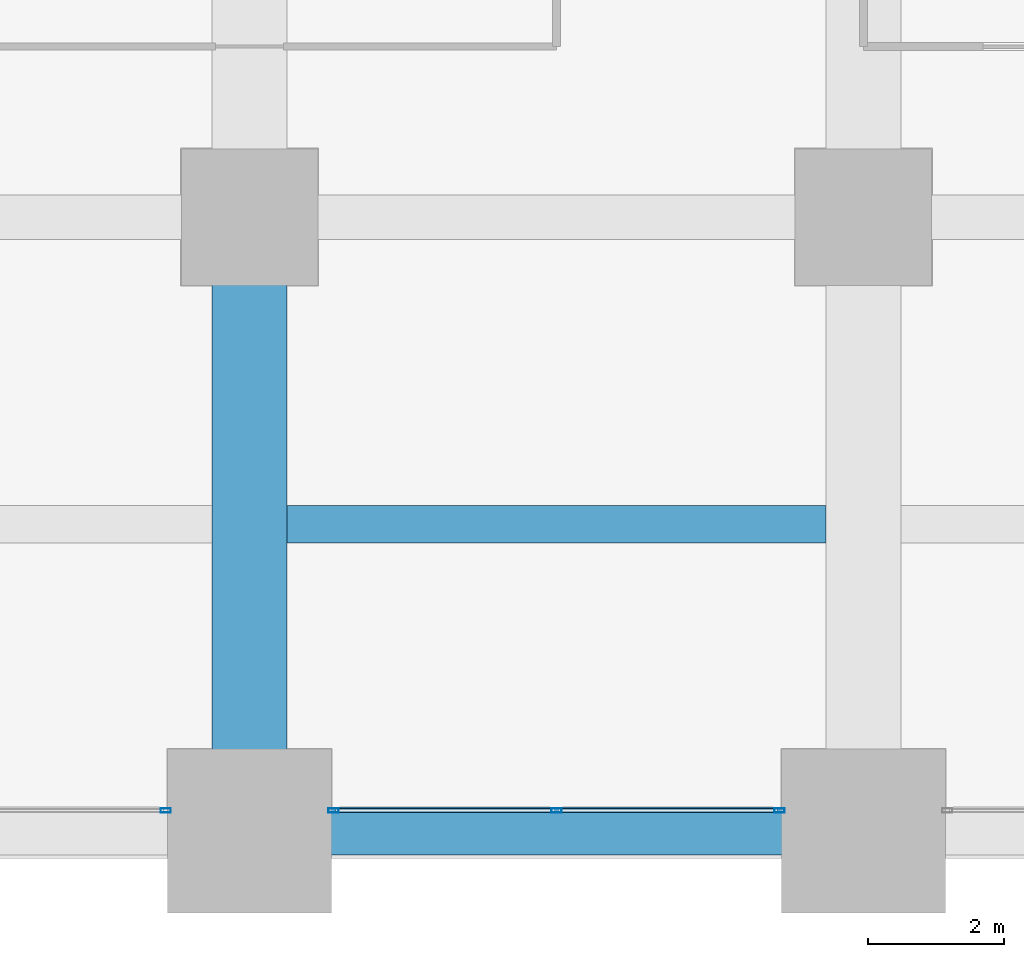
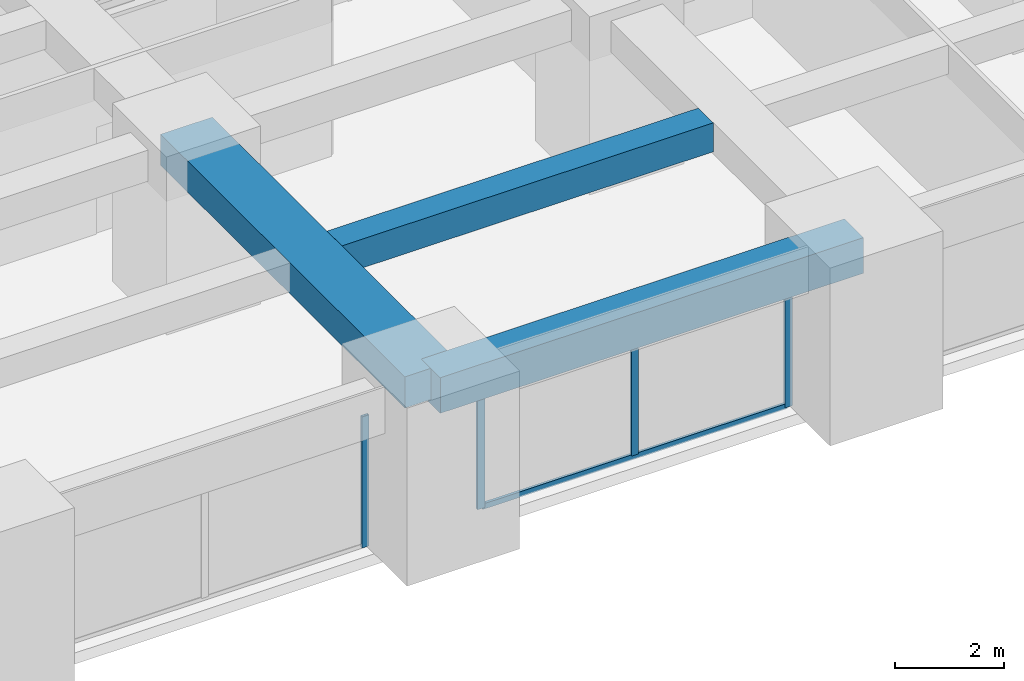
# One storey, part 6 of 41: 5 members, 3 beams, 2 elements without a shape of their own.
"""IFC4 building model written with IfcOpenShell, lengths in metres."""

from ifc_helpers import new_model, si_unit, direction, frame, origin, origin_2d, place, context, subcontext, project, spatial, rectangle, hollow_rectangle, extrude, material, material_profile, profile_set, type_object, element, aggregate, save


model = new_model("IFC4")

# Units and contexts
model_context = context("Model", 3, precision=1e-05, world=origin(), true_north=direction((0.0, 1.0)))
body_context = subcontext(model_context, "Body", "Model", "MODEL_VIEW")
ifc_project = project(units=[si_unit("LENGTHUNIT", "METRE"), si_unit("AREAUNIT", "SQUARE_METRE"), si_unit("VOLUMEUNIT", "CUBIC_METRE"), si_unit("PLANEANGLEUNIT", "RADIAN"), si_unit("MASSUNIT", "GRAM", prefix="KILO")], contexts=[model_context])

# Site, building, storey
site_placement = place(None, origin())
site = spatial("IfcSite", under=ifc_project, at=site_placement, CompositionType="ELEMENT")
building_placement = place(site_placement, origin())
building = spatial("IfcBuilding", under=site, at=building_placement, Name="Zorevar Civic Tower", CompositionType="ELEMENT")
storey_placement = place(building_placement, frame((0.0, 0.0, 113.0)))
storey = spatial("IfcBuildingStorey", under=building, at=storey_placement, Name="L27", CompositionType="ELEMENT", Elevation=113.0)

# Beams
ifc_material_1 = material(Name="Concrete C50/60", Category="concrete")
ifc_material_profile_1 = material_profile(ifc_material_1, rectangle(XDim=1.10009765625, YDim=0.699951171875, at=origin_2d()), Name="RC 1100x700")
ifc_profile_set_1 = profile_set([ifc_material_profile_1], Name="Concrete C50/60")
beam_type_1 = type_object("IfcBeamType", Name="Beam RC 1100x700", PredefinedType="BEAM", material=ifc_profile_set_1)
beam_1_placement = place(storey_placement, frame((18.0, 0.0, 3.39990234375), z_axis=(0.0, 1.0, 0.0), x_axis=(-1.0, 0.0, 0.0)))
element("IfcBeam", 1, at=beam_1_placement, inside=storey, type_object=beam_type_1, Name="Girder L28", PredefinedType="BEAM", context=body_context, shape_type="SweptSolid", body=[
    extrude(rectangle(XDim=1.10009765625, YDim=0.699951171875, at=origin_2d()), origin(), (0.0, 0.0, 1.0), 9.0),
])
ifc_material_2 = material(Name="Concrete C50/60", Category="concrete")
ifc_material_profile_2 = material_profile(ifc_material_2, rectangle(XDim=0.550048828125, YDim=0.64990234375, at=origin_2d()), Name="RC 550x650")
ifc_profile_set_2 = profile_set([ifc_material_profile_2], Name="Concrete C50/60")
beam_type_2 = type_object("IfcBeamType", Name="Beam RC 550x650", PredefinedType="BEAM", material=ifc_profile_set_2)
beam_2_placement = place(storey_placement, frame((18.550048828125, 4.5, 3.425048828125), z_axis=(1.0, 0.0, 0.0), x_axis=(0.0, 1.0, 0.0)))
element("IfcBeam", 2, at=beam_2_placement, inside=storey, type_object=beam_type_2, Name="Secondary beam L28", PredefinedType="BEAM", context=body_context, shape_type="SweptSolid", body=[
    extrude(rectangle(XDim=0.550048828125, YDim=0.64990234375, at=origin_2d()), origin(), (0.0, 0.0, 1.0), 7.89990234375),
])

# Curtain wall, member
ifc_material_3 = material(Name="Dark grey solar-control glass in black aluminium frame", Category="aluminium")
curtain_wall_type = type_object("IfcCurtainWallType", Name="Curtain wall CW3 mid zone", PredefinedType="NOTDEFINED", material=ifc_material_3)
curtain_wall_1_placement = place(storey_placement, origin())
curtain_wall_1 = element("IfcCurtainWall", 3, at=curtain_wall_1_placement, inside=storey, type_object=curtain_wall_type, Name="CW3 L27", PredefinedType="NOTDEFINED")
ifc_material_4 = material(Name="Aluminium, black anodised", Category="aluminium")
ifc_material_profile_3 = material_profile(ifc_material_4, hollow_rectangle(XDim=0.06005859375, YDim=0.14990234375, WallThickness=0.00390625, at=origin_2d()), Name="AL 150x60x4")
ifc_profile_set_3 = profile_set([ifc_material_profile_3], Name="Aluminium, black anodised")
member_type_1 = type_object("IfcMemberType", Name="CW3 mullion AL 150x60x4", PredefinedType="MULLION", material=ifc_profile_set_3)
member_1_placement = place(storey_placement, frame((16.77001953125, 0.300048828125, 0.0), z_axis=(0.0, 0.0, 1.0), x_axis=(0.0, 1.0, 0.0)))
member_1 = element("IfcMember", 4, at=member_1_placement, type_object=member_type_1, Name="CW3 mullion 3", PredefinedType="MULLION", context=body_context, shape_type="SweptSolid", body=[
    extrude(hollow_rectangle(XDim=0.06005859375, YDim=0.14990234375, WallThickness=0.00390625, at=origin_2d()), origin(), (0.0, 0.0, 1.0), 2.949951171875),
])
aggregate(curtain_wall_1, [member_1])

# Curtain wall, members
curtain_wall_2_placement = place(storey_placement, origin())
curtain_wall_2 = element("IfcCurtainWall", 5, at=curtain_wall_2_placement, inside=storey, type_object=curtain_wall_type, Name="CW3 L27", PredefinedType="NOTDEFINED")
member_2_placement = place(storey_placement, frame((19.22998046875, 0.300048828125, 0.0), z_axis=(0.0, 0.0, 1.0), x_axis=(0.0, 1.0, 0.0)))
member_2 = element("IfcMember", 6, at=member_2_placement, type_object=member_type_1, Name="CW3 mullion 1", PredefinedType="MULLION", context=body_context, shape_type="SweptSolid", body=[
    extrude(hollow_rectangle(XDim=0.06005859375, YDim=0.14990234375, WallThickness=0.00390625, at=origin_2d()), origin(), (0.0, 0.0, 1.0), 2.949951171875),
])
member_3_placement = place(storey_placement, frame((22.5, 0.300048828125, 0.06005859375), z_axis=(0.0, 0.0, 1.0), x_axis=(0.0, 1.0, 0.0)))
member_3 = element("IfcMember", 7, at=member_3_placement, type_object=member_type_1, Name="CW3 mullion 2", PredefinedType="MULLION", context=body_context, shape_type="SweptSolid", body=[
    extrude(hollow_rectangle(XDim=0.06005859375, YDim=0.14990234375, WallThickness=0.00390625, at=origin_2d()), origin(), (0.0, 0.0, 1.0), 2.889892578125),
])
member_4_placement = place(storey_placement, frame((25.77001953125, 0.300048828125, 0.0), z_axis=(0.0, 0.0, 1.0), x_axis=(0.0, 1.0, 0.0)))
member_4 = element("IfcMember", 8, at=member_4_placement, type_object=member_type_1, Name="CW3 mullion 3", PredefinedType="MULLION", context=body_context, shape_type="SweptSolid", body=[
    extrude(hollow_rectangle(XDim=0.06005859375, YDim=0.14990234375, WallThickness=0.00390625, at=origin_2d()), origin(), (0.0, 0.0, 1.0), 2.949951171875),
])
ifc_material_5 = material(Name="Aluminium, black anodised", Category="aluminium")
ifc_material_profile_4 = material_profile(ifc_material_5, hollow_rectangle(XDim=0.06005859375, YDim=0.1201171875, WallThickness=0.0029296875, at=origin_2d()), Name="AL 120x60x3")
ifc_profile_set_4 = profile_set([ifc_material_profile_4], Name="Aluminium, black anodised")
member_type_2 = type_object("IfcMemberType", Name="CW3 transom AL 120x60x3", PredefinedType="USERDEFINED", material=ifc_profile_set_4)
member_5_placement = place(storey_placement, frame((19.260009765625, 0.300048828125, 0.030029296875), z_axis=(1.0, 0.0, 0.0), x_axis=(0.0, 1.0, 0.0)))
member_5 = element("IfcMember", 9, at=member_5_placement, type_object=member_type_2, Name="CW3 sill transom", ObjectType="TRANSOM", PredefinedType="USERDEFINED", context=body_context, shape_type="SweptSolid", body=[
    extrude(hollow_rectangle(XDim=0.06005859375, YDim=0.1201171875, WallThickness=0.0029296875, at=origin_2d()), origin(), (0.0, 0.0, 1.0), 6.47998046875),
])
aggregate(curtain_wall_2, [member_2, member_3, member_4, member_5])

# Beam
ifc_material_6 = material(Name="Concrete C50/60", Category="concrete")
ifc_material_profile_5 = material_profile(ifc_material_6, rectangle(XDim=0.699951171875, YDim=0.800048828125, at=origin_2d()), Name="RC 700x800")
ifc_profile_set_5 = profile_set([ifc_material_profile_5], Name="Concrete C50/60")
beam_type_3 = type_object("IfcBeamType", Name="Edge beam RC 700x800", PredefinedType="SPANDREL", material=ifc_profile_set_5)
beam_3_placement = place(storey_placement, frame((18.0, 0.0, 3.35009765625), z_axis=(1.0, 0.0, 0.0), x_axis=(0.0, 1.0, 0.0)))
element("IfcBeam", 10, at=beam_3_placement, inside=storey, type_object=beam_type_3, Name="Edge beam L28", PredefinedType="SPANDREL", context=body_context, shape_type="SweptSolid", body=[
    extrude(rectangle(XDim=0.699951171875, YDim=0.800048828125, at=origin_2d()), origin(), (0.0, 0.0, 1.0), 9.0),
])

save(model, "model.ifc")
